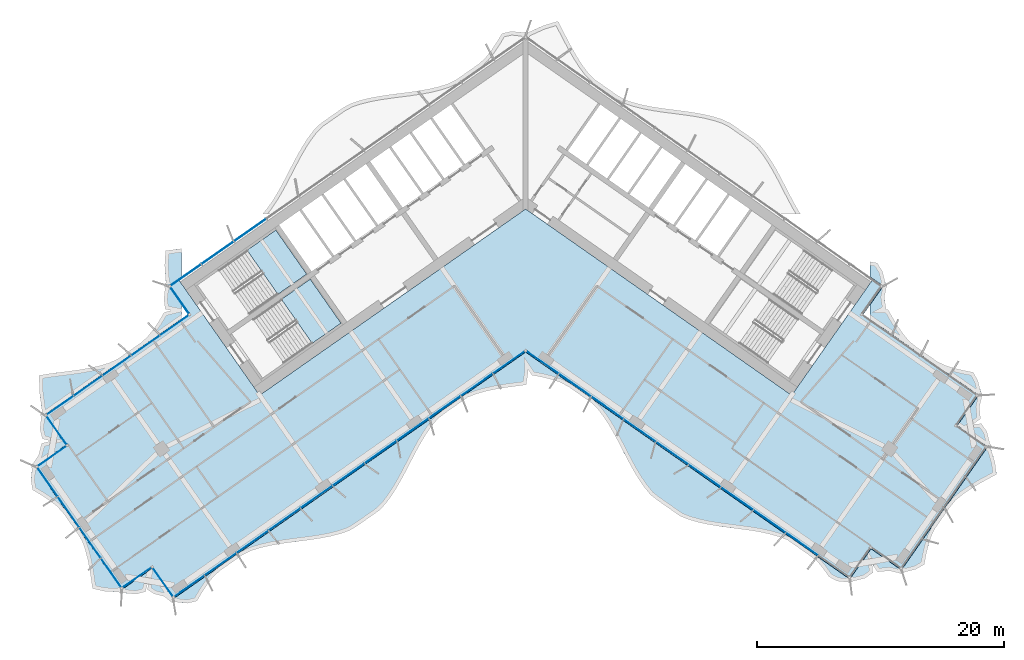
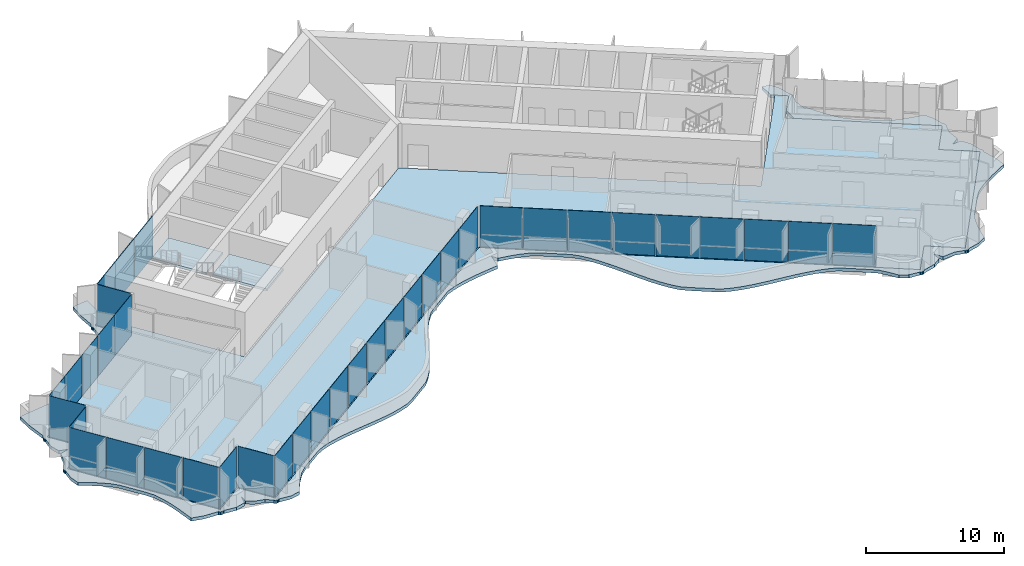
# One storey, part 10 of 21: 37 plates, 4 slabs, 4 elements without a shape of their own.
"""IFC4 building model written with IfcOpenShell, lengths in metres."""

import ifcopenshell
import ifcopenshell.guid

model = None  # the IFC model being written
_history = None  # IfcOwnerHistory: only IFC2X3 demands one
_inside = {}  # id of a spatial element -> (the spatial element, [elements in it])
_under = {}  # id of a project, library or spatial element -> (it, [spatial elements below it])
_declared = {}  # id of a project -> (the project, [libraries it declares])
_typed = {}  # id of a type object -> (the type object, [elements of that type])
_made_of = {}  # id of a material, layer set ... -> (it, [elements and type objects made of it])


def new_model(schema):
    """Start an empty IFC model of exactly this schema.

    Asked for "IFC4X3", IfcOpenShell would pick the latest addendum, in which some entities
    have other attributes; the version numbers below select the first issue.
    IFC2X3 requires an IfcOwnerHistory on every rooted entity: one is made here for all.
    """
    global model, _history
    if schema == "IFC4X3":
        model = ifcopenshell.file(schema_version=(4, 3, 0, 0))
    else:
        model = ifcopenshell.file(schema=schema)
    _inside.clear()
    _under.clear()
    _declared.clear()
    _typed.clear()
    _made_of.clear()
    _history = None
    if model.schema == "IFC2X3":
        org = make("IfcOrganization", Name="unknown")
        user = make(
            "IfcPersonAndOrganization",
            ThePerson=make("IfcPerson", FamilyName="unknown"),
            TheOrganization=org,
        )
        app = make(
            "IfcApplication",
            ApplicationDeveloper=org,
            Version="unknown",
            ApplicationFullName="unknown",
            ApplicationIdentifier="unknown",
        )
        _history = make(
            "IfcOwnerHistory",
            OwningUser=user,
            OwningApplication=app,
            ChangeAction="ADDED",
            CreationDate=0,
        )
    return model


def make(cls, **values):
    """One entity of the class cls with the attributes given. An attribute that is None is left unset."""
    return model.create_entity(
        cls, **{name: value for name, value in values.items() if value is not None}
    )


def rooted(cls, **values):
    """An entity with a GlobalId (a new one), such as an element, a storey or a relation."""
    return make(cls, GlobalId=ifcopenshell.guid.new(), OwnerHistory=_history, **values)


def si_unit(unit_type, name, prefix=None):
    """IfcSIUnit, for example si_unit("LENGTHUNIT", "METRE", prefix="MILLI")."""
    return make("IfcSIUnit", UnitType=unit_type, Prefix=prefix, Name=name)


def assignment(units):
    """IfcUnitAssignment: the units of a project."""
    return None if units is None else make("IfcUnitAssignment", Units=units)


def point(xyz):
    """IfcCartesianPoint."""
    return None if xyz is None else make("IfcCartesianPoint", Coordinates=xyz)


def direction(xyz):
    """IfcDirection."""
    return None if xyz is None else make("IfcDirection", DirectionRatios=xyz)


def frame(location, z_axis=None, x_axis=None):
    """IfcAxis2Placement3D, a coordinate frame: its origin and axes. An axis left out is left unset."""
    return make(
        "IfcAxis2Placement3D",
        Location=point(location),
        Axis=direction(z_axis),
        RefDirection=direction(x_axis),
    )


def frame_2d(location, x_axis=None):
    """IfcAxis2Placement2D, a coordinate frame in the plane: its origin and x axis."""
    return make(
        "IfcAxis2Placement2D", Location=point(location), RefDirection=direction(x_axis)
    )


def origin():
    """The frame at (0, 0, 0) with its axes left unset."""
    return frame((0.0, 0.0, 0.0))


def origin_2d():
    """The frame at (0, 0) in the plane with its x axis left unset."""
    return frame_2d((0.0, 0.0))


def place(relative_to, where):
    """IfcLocalPlacement: puts the frame where relative to a parent placement (None: the world)."""
    return make(
        "IfcLocalPlacement", PlacementRelTo=relative_to, RelativePlacement=where
    )


def context(
    kind, dimensions, precision=None, world=None, true_north=None, identifier=None
):
    """IfcGeometricRepresentationContext, for example the 3D "Model" context."""
    return make(
        "IfcGeometricRepresentationContext",
        ContextIdentifier=identifier,
        ContextType=kind,
        CoordinateSpaceDimension=dimensions,
        Precision=precision,
        WorldCoordinateSystem=world,
        TrueNorth=true_north,
    )


def subcontext(parent, identifier, kind, view, scale=None):
    """IfcGeometricRepresentationSubContext, for example "Body" below "Model"."""
    return make(
        "IfcGeometricRepresentationSubContext",
        ContextIdentifier=identifier,
        ContextType=kind,
        ParentContext=parent,
        TargetScale=scale,
        TargetView=view,
    )


def project(units=None, contexts=None):
    """IfcProject with its units and contexts."""
    return rooted(
        "IfcProject",
        Name="project",
        RepresentationContexts=contexts,
        UnitsInContext=assignment(units),
    )


def spatial(cls, under=None, at=None, **own):
    """A site, building, storey or space (cls), placed at a placement, below another one or the project."""
    s = rooted(cls, ObjectPlacement=at, **own)
    if under is not None:
        _under.setdefault(under.id(), (under, []))[1].append(s)
    return s


def polyline(points):
    """IfcPolyline through the points."""
    return make("IfcPolyline", Points=[point(p) for p in points])


def profile(cls, at=None, kind="AREA", **sizes):
    """A parametric profile (cls). Its sizes go by their IFC names, for example OverallWidth=200.0."""
    return make(cls, ProfileType=kind, Position=at, **sizes)


def rectangle(**sizes):
    """IfcRectangleProfileDef."""
    return profile("IfcRectangleProfileDef", **sizes)


def outline(outer, holes=None, kind="AREA"):
    """IfcArbitraryClosedProfileDef: a profile drawn as a closed curve; with holes, ...WithVoids."""
    if holes is None:
        return make("IfcArbitraryClosedProfileDef", ProfileType=kind, OuterCurve=outer)
    return make(
        "IfcArbitraryProfileDefWithVoids",
        ProfileType=kind,
        OuterCurve=outer,
        InnerCurves=holes,
    )


def extrude(swept, where, along, depth):
    """IfcExtrudedAreaSolid: the profile swept, set in the frame where, extruded along a direction by depth."""
    return make(
        "IfcExtrudedAreaSolid",
        SweptArea=swept,
        Position=where,
        ExtrudedDirection=direction(along),
        Depth=depth,
    )


def shape(context_of_items, identifier, shape_type, items):
    """IfcShapeRepresentation: the items that make up one representation, for example the "Body"."""
    return make(
        "IfcShapeRepresentation",
        ContextOfItems=context_of_items,
        RepresentationIdentifier=identifier,
        RepresentationType=shape_type,
        Items=items,
    )


def material(Name=None, Category=None):
    """IfcMaterial."""
    return make("IfcMaterial", Name=Name, Category=Category)


def layer(
    of_material, thickness, ventilated=None, Name=None, Category=None, Priority=None
):
    """IfcMaterialLayer: one layer of a wall or slab, of a material (None: an air gap)."""
    return make(
        "IfcMaterialLayer",
        Material=of_material,
        LayerThickness=thickness,
        IsVentilated=ventilated,
        Name=Name,
        Category=Category,
        Priority=Priority,
    )


def layer_set(layers, Name=None):
    """IfcMaterialLayerSet."""
    return make("IfcMaterialLayerSet", MaterialLayers=layers, LayerSetName=Name)


def made_of(thing, what):
    """Note that an element or type object is made of a material, layer set ...; save() writes the relation."""
    if what is not None:
        _made_of.setdefault(what.id(), (what, []))[1].append(thing)
    return thing


def type_object(cls, material=None, **own):
    """A type object (cls), such as IfcWallType, which elements share."""
    return made_of(rooted(cls, **own), material)


def element(
    cls,
    number,
    at=None,
    inside=None,
    cuts=None,
    type_object=None,
    material=None,
    context=None,
    identifier="Body",
    shape_type=None,
    held_by="IfcProductDefinitionShape",
    body=None,
    shapes=None,
    **own,
):
    """One element of the class cls, such as IfcWall. Its Tag is "e" and its number.

    at: its placement. inside: the storey or other place that contains it. cuts: it is an
    opening in that element (IfcRelVoidsElement). A single representation is given by context,
    identifier, shape_type and body (its items); several are given by shapes. held_by: the class
    of the entity that holds the representations. save() writes the other relations.
    """
    e = rooted(cls, Tag="e%d" % number, ObjectPlacement=at, **own)
    if body is not None:
        shapes = [shape(context, identifier, shape_type, body)]
    if shapes is not None:
        e.Representation = make(held_by, Representations=shapes)
    if inside is not None:
        _inside.setdefault(inside.id(), (inside, []))[1].append(e)
    if cuts is not None:
        rooted(
            "IfcRelVoidsElement", RelatingBuildingElement=cuts, RelatedOpeningElement=e
        )
    if type_object is not None:
        _typed.setdefault(type_object.id(), (type_object, []))[1].append(e)
    return made_of(e, material)


def aggregate(whole, parts):
    """IfcRelAggregates: a whole, such as a stair, and the parts it consists of."""
    return rooted("IfcRelAggregates", RelatingObject=whole, RelatedObjects=parts)


def save(model, path):
    """Write the relations noted so far, then the file.

    IfcRelAggregates (storeys below a building ...), IfcRelContainedInSpatialStructure (elements
    in a storey), IfcRelDefinesByType, IfcRelAssociatesMaterial and IfcRelDeclares: one each for
    every whole, place, type object, material and project.
    """
    for whole, parts in _under.values():
        aggregate(whole, parts)
    for where, things in _inside.values():
        rooted(
            "IfcRelContainedInSpatialStructure",
            RelatedElements=things,
            RelatingStructure=where,
        )
    for kind, things in _typed.values():
        rooted("IfcRelDefinesByType", RelatedObjects=things, RelatingType=kind)
    for what, things in _made_of.values():
        rooted("IfcRelAssociatesMaterial", RelatedObjects=things, RelatingMaterial=what)
    for by, libraries in _declared.values():
        rooted("IfcRelDeclares", RelatingContext=by, RelatedDefinitions=libraries)
    model.write(path)


model = new_model("IFC4")

# Units and contexts
model_context = context("Model", 3, precision=1e-05, world=origin(), true_north=direction((0.0, 1.0)))
body_context = subcontext(model_context, "Body", "Model", "MODEL_VIEW")
ifc_project = project(units=[si_unit("LENGTHUNIT", "METRE"), si_unit("AREAUNIT", "SQUARE_METRE"), si_unit("VOLUMEUNIT", "CUBIC_METRE"), si_unit("PLANEANGLEUNIT", "RADIAN"), si_unit("MASSUNIT", "GRAM", prefix="KILO")], contexts=[model_context])

# Site, building, storey
site_placement = place(None, origin())
site = spatial("IfcSite", under=ifc_project, at=site_placement, CompositionType="ELEMENT")
building_placement = place(site_placement, origin())
building = spatial("IfcBuilding", under=site, at=building_placement, Name="Tel Ilan Convention Tower", CompositionType="ELEMENT")
storey_placement = place(building_placement, frame((0.0, 0.0, 159.300048828125)))
storey = spatial("IfcBuildingStorey", under=building, at=storey_placement, Name="L36", CompositionType="ELEMENT", Elevation=159.300048828125)

# Curtain wall, plates
ifc_material_1 = material(Name="Aluminium, bronze anodised", Category="aluminium")
curtain_wall_type_1 = type_object("IfcCurtainWallType", Name="CW4 STICK CURTAIN WALL, OFFICE TINTED GLASS", PredefinedType="NOTDEFINED", material=ifc_material_1)
curtain_wall_1_placement = place(storey_placement, origin())
curtain_wall_1 = element("IfcCurtainWall", 1, at=curtain_wall_1_placement, inside=storey, type_object=curtain_wall_type_1, Name="Curtain wall CW4-28.02", PredefinedType="NOTDEFINED")
ifc_material_2 = material(Name="Glass, bronze tinted, two-ply", Category="glass")
ifc_layer_1 = layer(ifc_material_2, 0.028076171875)
ifc_layer_set_1 = layer_set([ifc_layer_1], Name="CW GLASS PANEL 28")
plate_type_1 = type_object("IfcPlateType", Name="CW GLASS PANEL 28", PredefinedType="CURTAIN_PANEL", material=ifc_layer_set_1)
plate_1_placement = place(storey_placement, frame((-28.44677734375, -10.640625, 0.0), z_axis=(0.0, 0.0, 1.0), x_axis=(-0.819152044289, -0.573576436351, 0.0)))
plate_1 = element("IfcPlate", 2, at=plate_1_placement, type_object=plate_type_1, Name="Glass panel", PredefinedType="CURTAIN_PANEL", context=body_context, shape_type="SweptSolid", body=[
    extrude(rectangle(XDim=2.80908203125, YDim=0.028076171875, at=origin_2d()), origin(), (0.0, 0.0, 1.0), 3.6201171875),
])
plate_2_placement = place(storey_placement, frame((-30.784912109375, -12.278076171875, 0.0), z_axis=(0.0, 0.0, 1.0), x_axis=(-0.819152044289, -0.573576436351, 0.0)))
plate_2 = element("IfcPlate", 3, at=plate_2_placement, type_object=plate_type_1, Name="Glass panel", PredefinedType="CURTAIN_PANEL", context=body_context, shape_type="SweptSolid", body=[
    extrude(rectangle(XDim=2.780029296875, YDim=0.028076171875, at=origin_2d()), origin(), (0.0, 0.0, 1.0), 3.6201171875),
])
plate_3_placement = place(storey_placement, frame((-33.111328125, -13.906982421875, 0.0), z_axis=(0.0, 0.0, 1.0), x_axis=(-0.819152044289, -0.573576436351, 0.0)))
plate_3 = element("IfcPlate", 4, at=plate_3_placement, type_object=plate_type_1, Name="Glass panel", PredefinedType="CURTAIN_PANEL", context=body_context, shape_type="SweptSolid", body=[
    extrude(rectangle(XDim=2.780029296875, YDim=0.028076171875, at=origin_2d()), origin(), (0.0, 0.0, 1.0), 3.6201171875),
])
plate_4_placement = place(storey_placement, frame((-35.437744140625, -15.535888671875, 0.0), z_axis=(0.0, 0.0, 1.0), x_axis=(-0.819152044289, -0.573576436351, 0.0)))
plate_4 = element("IfcPlate", 5, at=plate_4_placement, type_object=plate_type_1, Name="Glass panel", PredefinedType="CURTAIN_PANEL", context=body_context, shape_type="SweptSolid", body=[
    extrude(rectangle(XDim=2.780029296875, YDim=0.028076171875, at=origin_2d()), origin(), (0.0, 0.0, 1.0), 3.6201171875),
])
plate_5_placement = place(storey_placement, frame((-37.7255859375, -17.137939453125, 0.0), z_axis=(0.0, 0.0, 1.0), x_axis=(-0.819152044289, -0.573576436351, 0.0)))
plate_5 = element("IfcPlate", 6, at=plate_5_placement, type_object=plate_type_1, Name="Glass panel", PredefinedType="CURTAIN_PANEL", context=body_context, shape_type="SweptSolid", body=[
    extrude(rectangle(XDim=2.68603515625, YDim=0.028076171875, at=origin_2d()), origin(), (0.0, 0.0, 1.0), 3.6201171875),
])
plate_6_placement = place(storey_placement, frame((-38.007080078125, -19.119140625, 0.0), z_axis=(0.0, 0.0, 1.0), x_axis=(0.573576436351, -0.819152044289, 0.0)))
plate_6 = element("IfcPlate", 7, at=plate_6_placement, type_object=plate_type_1, Name="Glass panel", PredefinedType="CURTAIN_PANEL", context=body_context, shape_type="SweptSolid", body=[
    extrude(rectangle(XDim=2.875, YDim=0.028076171875, at=origin_2d()), origin(), (0.0, 0.0, 1.0), 3.6201171875),
])
plate_7_placement = place(storey_placement, frame((-38.385009765625, -21.261962890625, 0.0), z_axis=(0.0, 0.0, 1.0), x_axis=(-0.819152044289, -0.573576436351, 0.0)))
plate_7 = element("IfcPlate", 8, at=plate_7_placement, type_object=plate_type_1, Name="Glass panel", PredefinedType="CURTAIN_PANEL", context=body_context, shape_type="SweptSolid", body=[
    extrude(rectangle(XDim=2.875, YDim=0.028076171875, at=origin_2d()), origin(), (0.0, 0.0, 1.0), 3.6201171875),
])
plate_8_placement = place(storey_placement, frame((-38.73779296875, -23.305908203125, 0.0), z_axis=(0.0, 0.0, 1.0), x_axis=(0.573576436351, -0.819152044289, 0.0)))
plate_8 = element("IfcPlate", 9, at=plate_8_placement, type_object=plate_type_1, Name="Glass panel", PredefinedType="CURTAIN_PANEL", context=body_context, shape_type="SweptSolid", body=[
    extrude(rectangle(XDim=2.89599609375, YDim=0.028076171875, at=origin_2d()), origin(), (0.0, 0.0, 1.0), 3.6201171875),
])
plate_9_placement = place(storey_placement, frame((-37.015380859375, -25.765869140625, 0.0), z_axis=(0.0, 0.0, 1.0), x_axis=(0.573576436351, -0.819152044289, 0.0)))
plate_9 = element("IfcPlate", 10, at=plate_9_placement, type_object=plate_type_1, Name="Glass panel", PredefinedType="CURTAIN_PANEL", context=body_context, shape_type="SweptSolid", body=[
    extrude(rectangle(XDim=2.989990234375, YDim=0.028076171875, at=origin_2d()), origin(), (0.0, 0.0, 1.0), 3.6201171875),
])
plate_10_placement = place(storey_placement, frame((-35.26611328125, -28.264404296875, 0.0), z_axis=(0.0, 0.0, 1.0), x_axis=(0.573576436351, -0.819152044289, 0.0)))
plate_10 = element("IfcPlate", 11, at=plate_10_placement, type_object=plate_type_1, Name="Glass panel", PredefinedType="CURTAIN_PANEL", context=body_context, shape_type="SweptSolid", body=[
    extrude(rectangle(XDim=2.989990234375, YDim=0.028076171875, at=origin_2d()), origin(), (0.0, 0.0, 1.0), 3.6201171875),
])
plate_11_placement = place(storey_placement, frame((-33.543701171875, -30.72412109375, 0.0), z_axis=(0.0, 0.0, 1.0), x_axis=(0.573576436351, -0.819152044289, 0.0)))
plate_11 = element("IfcPlate", 12, at=plate_11_placement, type_object=plate_type_1, Name="Glass panel", PredefinedType="CURTAIN_PANEL", context=body_context, shape_type="SweptSolid", body=[
    extrude(rectangle(XDim=2.89599609375, YDim=0.028076171875, at=origin_2d()), origin(), (0.0, 0.0, 1.0), 3.6201171875),
])
plate_12_placement = place(storey_placement, frame((-31.502197265625, -31.091796875, 0.0), z_axis=(0.0, 0.0, 1.0), x_axis=(0.819152044289, 0.573576436351, 0.0)))
plate_12 = element("IfcPlate", 13, at=plate_12_placement, type_object=plate_type_1, Name="Glass panel", PredefinedType="CURTAIN_PANEL", context=body_context, shape_type="SweptSolid", body=[
    extrude(rectangle(XDim=2.875, YDim=0.028076171875, at=origin_2d()), origin(), (0.0, 0.0, 1.0), 3.6201171875),
])
plate_13_placement = place(storey_placement, frame((-29.359375, -31.469482421875, 0.0), z_axis=(0.0, 0.0, 1.0), x_axis=(0.573576436351, -0.819152044289, 0.0)))
plate_13 = element("IfcPlate", 14, at=plate_13_placement, type_object=plate_type_1, Name="Glass panel", PredefinedType="CURTAIN_PANEL", context=body_context, shape_type="SweptSolid", body=[
    extrude(rectangle(XDim=2.875, YDim=0.028076171875, at=origin_2d()), origin(), (0.0, 0.0, 1.0), 3.6201171875),
])
plate_14_placement = place(storey_placement, frame((-27.26708984375, -31.78857421875, 0.0), z_axis=(0.0, 0.0, 1.0), x_axis=(0.819152044289, 0.573576436351, 0.0)))
plate_14 = element("IfcPlate", 15, at=plate_14_placement, type_object=plate_type_1, Name="Glass panel", PredefinedType="CURTAIN_PANEL", context=body_context, shape_type="SweptSolid", body=[
    extrude(rectangle(XDim=3.013916015625, YDim=0.028076171875, at=origin_2d()), origin(), (0.0, 0.0, 1.0), 3.6201171875),
])
plate_15_placement = place(storey_placement, frame((-24.71044921875, -29.99853515625, 0.0), z_axis=(0.0, 0.0, 1.0), x_axis=(0.819152044289, 0.573576436351, 0.0)))
plate_15 = element("IfcPlate", 16, at=plate_15_placement, type_object=plate_type_1, Name="Glass panel", PredefinedType="CURTAIN_PANEL", context=body_context, shape_type="SweptSolid", body=[
    extrude(rectangle(XDim=3.10791015625, YDim=0.028076171875, at=origin_2d()), origin(), (0.0, 0.0, 1.0), 3.6201171875),
])
plate_16_placement = place(storey_placement, frame((-22.115478515625, -28.181396484375, 0.0), z_axis=(0.0, 0.0, 1.0), x_axis=(0.819152044289, 0.573576436351, 0.0)))
plate_16 = element("IfcPlate", 17, at=plate_16_placement, type_object=plate_type_1, Name="Glass panel", PredefinedType="CURTAIN_PANEL", context=body_context, shape_type="SweptSolid", body=[
    extrude(rectangle(XDim=3.10791015625, YDim=0.028076171875, at=origin_2d()), origin(), (0.0, 0.0, 1.0), 3.6201171875),
])
plate_17_placement = place(storey_placement, frame((-19.520263671875, -26.3642578125, 0.0), z_axis=(0.0, 0.0, 1.0), x_axis=(0.819152044289, 0.573576436351, 0.0)))
plate_17 = element("IfcPlate", 18, at=plate_17_placement, type_object=plate_type_1, Name="Glass panel", PredefinedType="CURTAIN_PANEL", context=body_context, shape_type="SweptSolid", body=[
    extrude(rectangle(XDim=3.10791015625, YDim=0.028076171875, at=origin_2d()), origin(), (0.0, 0.0, 1.0), 3.6201171875),
])
plate_18_placement = place(storey_placement, frame((-16.92529296875, -24.54736328125, 0.0), z_axis=(0.0, 0.0, 1.0), x_axis=(0.819152044289, 0.573576436351, 0.0)))
plate_18 = element("IfcPlate", 19, at=plate_18_placement, type_object=plate_type_1, Name="Glass panel", PredefinedType="CURTAIN_PANEL", context=body_context, shape_type="SweptSolid", body=[
    extrude(rectangle(XDim=3.10791015625, YDim=0.028076171875, at=origin_2d()), origin(), (0.0, 0.0, 1.0), 3.6201171875),
])
plate_19_placement = place(storey_placement, frame((-14.330078125, -22.730224609375, 0.0), z_axis=(0.0, 0.0, 1.0), x_axis=(0.819152044289, 0.573576436351, 0.0)))
plate_19 = element("IfcPlate", 20, at=plate_19_placement, type_object=plate_type_1, Name="Glass panel", PredefinedType="CURTAIN_PANEL", context=body_context, shape_type="SweptSolid", body=[
    extrude(rectangle(XDim=3.10791015625, YDim=0.028076171875, at=origin_2d()), origin(), (0.0, 0.0, 1.0), 3.6201171875),
])
plate_20_placement = place(storey_placement, frame((-11.735107421875, -20.9130859375, 0.0), z_axis=(0.0, 0.0, 1.0), x_axis=(0.819152044289, 0.573576436351, 0.0)))
plate_20 = element("IfcPlate", 21, at=plate_20_placement, type_object=plate_type_1, Name="Glass panel", PredefinedType="CURTAIN_PANEL", context=body_context, shape_type="SweptSolid", body=[
    extrude(rectangle(XDim=3.10791015625, YDim=0.028076171875, at=origin_2d()), origin(), (0.0, 0.0, 1.0), 3.6201171875),
])
plate_21_placement = place(storey_placement, frame((-9.14013671875, -19.095947265625, 0.0), z_axis=(0.0, 0.0, 1.0), x_axis=(0.819152044289, 0.573576436351, 0.0)))
plate_21 = element("IfcPlate", 22, at=plate_21_placement, type_object=plate_type_1, Name="Glass panel", PredefinedType="CURTAIN_PANEL", context=body_context, shape_type="SweptSolid", body=[
    extrude(rectangle(XDim=3.10791015625, YDim=0.028076171875, at=origin_2d()), origin(), (0.0, 0.0, 1.0), 3.6201171875),
])
plate_22_placement = place(storey_placement, frame((-6.544921875, -17.27880859375, 0.0), z_axis=(0.0, 0.0, 1.0), x_axis=(0.819152044289, 0.573576436351, 0.0)))
plate_22 = element("IfcPlate", 23, at=plate_22_placement, type_object=plate_type_1, Name="Glass panel", PredefinedType="CURTAIN_PANEL", context=body_context, shape_type="SweptSolid", body=[
    extrude(rectangle(XDim=3.10791015625, YDim=0.028076171875, at=origin_2d()), origin(), (0.0, 0.0, 1.0), 3.6201171875),
])
plate_23_placement = place(storey_placement, frame((-3.949951171875, -15.4619140625, 0.0), z_axis=(0.0, 0.0, 1.0), x_axis=(0.819152044289, 0.573576436351, 0.0)))
plate_23 = element("IfcPlate", 24, at=plate_23_placement, type_object=plate_type_1, Name="Glass panel", PredefinedType="CURTAIN_PANEL", context=body_context, shape_type="SweptSolid", body=[
    extrude(rectangle(XDim=3.10791015625, YDim=0.028076171875, at=origin_2d()), origin(), (0.0, 0.0, 1.0), 3.6201171875),
])
plate_24_placement = place(storey_placement, frame((-1.355224609375, -13.64501953125, 0.0), z_axis=(0.0, 0.0, 1.0), x_axis=(0.819152044289, 0.573576436351, 0.0)))
plate_24 = element("IfcPlate", 25, at=plate_24_placement, type_object=plate_type_1, Name="Glass panel", PredefinedType="CURTAIN_PANEL", context=body_context, shape_type="SweptSolid", body=[
    extrude(rectangle(XDim=3.10693359375, YDim=0.028076171875, at=origin_2d()), origin(), (0.0, 0.0, 1.0), 3.6201171875),
])
plate_25_placement = place(storey_placement, frame((1.3818359375, -13.66357421875, 0.0), z_axis=(0.0, 0.0, 1.0), x_axis=(0.819152044289, -0.573576436351, 0.0)))
plate_25 = element("IfcPlate", 26, at=plate_25_placement, type_object=plate_type_1, Name="Glass panel", PredefinedType="CURTAIN_PANEL", context=body_context, shape_type="SweptSolid", body=[
    extrude(rectangle(XDim=3.11572265625, YDim=0.028076171875, at=origin_2d()), origin(), (0.0, 0.0, 1.0), 3.6201171875),
])
plate_26_placement = place(storey_placement, frame((3.9951171875, -15.493408203125, 0.0), z_axis=(0.0, 0.0, 1.0), x_axis=(0.819152044289, -0.573576436351, 0.0)))
plate_26 = element("IfcPlate", 27, at=plate_26_placement, type_object=plate_type_1, Name="Glass panel", PredefinedType="CURTAIN_PANEL", context=body_context, shape_type="SweptSolid", body=[
    extrude(rectangle(XDim=3.144775390625, YDim=0.028076171875, at=origin_2d()), origin(), (0.0, 0.0, 1.0), 3.6201171875),
])
plate_27_placement = place(storey_placement, frame((6.620361328125, -17.331787109375, 0.0), z_axis=(0.0, 0.0, 1.0), x_axis=(0.819152044289, -0.573576436351, 0.0)))
plate_27 = element("IfcPlate", 28, at=plate_27_placement, type_object=plate_type_1, Name="Glass panel", PredefinedType="CURTAIN_PANEL", context=body_context, shape_type="SweptSolid", body=[
    extrude(rectangle(XDim=3.144775390625, YDim=0.028076171875, at=origin_2d()), origin(), (0.0, 0.0, 1.0), 3.6201171875),
])
plate_28_placement = place(storey_placement, frame((9.24560546875, -19.169921875, 0.0), z_axis=(0.0, 0.0, 1.0), x_axis=(0.819152044289, -0.573576436351, 0.0)))
plate_28 = element("IfcPlate", 29, at=plate_28_placement, type_object=plate_type_1, Name="Glass panel", PredefinedType="CURTAIN_PANEL", context=body_context, shape_type="SweptSolid", body=[
    extrude(rectangle(XDim=3.144775390625, YDim=0.028076171875, at=origin_2d()), origin(), (0.0, 0.0, 1.0), 3.6201171875),
])
plate_29_placement = place(storey_placement, frame((11.870849609375, -21.008056640625, 0.0), z_axis=(0.0, 0.0, 1.0), x_axis=(0.819152044289, -0.573576436351, 0.0)))
plate_29 = element("IfcPlate", 30, at=plate_29_placement, type_object=plate_type_1, Name="Glass panel", PredefinedType="CURTAIN_PANEL", context=body_context, shape_type="SweptSolid", body=[
    extrude(rectangle(XDim=3.144775390625, YDim=0.028076171875, at=origin_2d()), origin(), (0.0, 0.0, 1.0), 3.6201171875),
])
plate_30_placement = place(storey_placement, frame((14.49609375, -22.84619140625, 0.0), z_axis=(0.0, 0.0, 1.0), x_axis=(0.819152044289, -0.573576436351, 0.0)))
plate_30 = element("IfcPlate", 31, at=plate_30_placement, type_object=plate_type_1, Name="Glass panel", PredefinedType="CURTAIN_PANEL", context=body_context, shape_type="SweptSolid", body=[
    extrude(rectangle(XDim=3.144775390625, YDim=0.028076171875, at=origin_2d()), origin(), (0.0, 0.0, 1.0), 3.6201171875),
])
plate_31_placement = place(storey_placement, frame((17.12109375, -24.684326171875, 0.0), z_axis=(0.0, 0.0, 1.0), x_axis=(0.819152044289, -0.573576436351, 0.0)))
plate_31 = element("IfcPlate", 32, at=plate_31_placement, type_object=plate_type_1, Name="Glass panel", PredefinedType="CURTAIN_PANEL", context=body_context, shape_type="SweptSolid", body=[
    extrude(rectangle(XDim=3.144775390625, YDim=0.028076171875, at=origin_2d()), origin(), (0.0, 0.0, 1.0), 3.6201171875),
])
plate_32_placement = place(storey_placement, frame((19.746337890625, -26.522705078125, 0.0), z_axis=(0.0, 0.0, 1.0), x_axis=(0.819152044289, -0.573576436351, 0.0)))
plate_32 = element("IfcPlate", 33, at=plate_32_placement, type_object=plate_type_1, Name="Glass panel", PredefinedType="CURTAIN_PANEL", context=body_context, shape_type="SweptSolid", body=[
    extrude(rectangle(XDim=3.144775390625, YDim=0.028076171875, at=origin_2d()), origin(), (0.0, 0.0, 1.0), 3.6201171875),
])
plate_33_placement = place(storey_placement, frame((22.37158203125, -28.36083984375, 0.0), z_axis=(0.0, 0.0, 1.0), x_axis=(0.819152044289, -0.573576436351, 0.0)))
plate_33 = element("IfcPlate", 34, at=plate_33_placement, type_object=plate_type_1, Name="Glass panel", PredefinedType="CURTAIN_PANEL", context=body_context, shape_type="SweptSolid", body=[
    extrude(rectangle(XDim=3.144775390625, YDim=0.028076171875, at=origin_2d()), origin(), (0.0, 0.0, 1.0), 3.6201171875),
])
aggregate(curtain_wall_1, [plate_1, plate_2, plate_3, plate_4, plate_5, plate_6, plate_7, plate_8, plate_9, plate_10, plate_11, plate_12, plate_13, plate_14, plate_15, plate_16, plate_17, plate_18, plate_19, plate_20, plate_21, plate_22, plate_23, plate_24, plate_25, plate_26, plate_27, plate_28, plate_29, plate_30, plate_31, plate_32, plate_33])

ifc_material_3 = material(Name="Aluminium, bronze anodised", Category="aluminium")
curtain_wall_type_2 = type_object("IfcCurtainWallType", Name="CW2 STICK CURTAIN WALL, SPANDREL PANELS", PredefinedType="NOTDEFINED", material=ifc_material_3)
curtain_wall_2_placement = place(storey_placement, origin())
curtain_wall_2 = element("IfcCurtainWall", 35, at=curtain_wall_2_placement, inside=storey, type_object=curtain_wall_type_2, Name="Curtain wall CW2-28.01", PredefinedType="NOTDEFINED")
ifc_material_4 = material(Name="Aluminium composite panel, bronze anodised", Category="aluminium")
ifc_layer_2 = layer(ifc_material_4, 0.06005859375)
ifc_layer_set_2 = layer_set([ifc_layer_2], Name="CW SPANDREL PANEL 60")
plate_type_2 = type_object("IfcPlateType", Name="CW SPANDREL PANEL 60", PredefinedType="CURTAIN_PANEL", material=ifc_layer_set_2)
plate_34_placement = place(storey_placement, frame((-22.31982421875, -2.9326171875, 0.0), z_axis=(0.0, 0.0, 1.0), x_axis=(-0.819152044289, -0.573576436351, 0.0)))
plate_34 = element("IfcPlate", 36, at=plate_34_placement, type_object=plate_type_2, Name="Spandrel panel", PredefinedType="CURTAIN_PANEL", context=body_context, shape_type="SweptSolid", body=[
    extrude(rectangle(XDim=3.15380859375, YDim=0.06005859375, at=origin_2d()), origin(), (0.0, 0.0, 1.0), 3.6201171875),
])
plate_35_placement = place(storey_placement, frame((-24.95263671875, -4.77587890625, 0.0), z_axis=(0.0, 0.0, 1.0), x_axis=(-0.819152044289, -0.573576436351, 0.0)))
plate_35 = element("IfcPlate", 37, at=plate_35_placement, type_object=plate_type_2, Name="Spandrel panel", PredefinedType="CURTAIN_PANEL", context=body_context, shape_type="SweptSolid", body=[
    extrude(rectangle(XDim=3.15380859375, YDim=0.06005859375, at=origin_2d()), origin(), (0.0, 0.0, 1.0), 3.6201171875),
])
plate_36_placement = place(storey_placement, frame((-27.5400390625, -6.587646484375, 0.0), z_axis=(0.0, 0.0, 1.0), x_axis=(-0.819152044289, -0.573576436351, 0.0)))
plate_36 = element("IfcPlate", 38, at=plate_36_placement, type_object=plate_type_2, Name="Spandrel panel", PredefinedType="CURTAIN_PANEL", context=body_context, shape_type="SweptSolid", body=[
    extrude(rectangle(XDim=3.0439453125, YDim=0.06005859375, at=origin_2d()), origin(), (0.0, 0.0, 1.0), 3.6201171875),
])
plate_37_placement = place(storey_placement, frame((-28.033935546875, -8.60546875, 0.0), z_axis=(0.0, 0.0, 1.0), x_axis=(0.573576436351, -0.819152044289, 0.0)))
plate_37 = element("IfcPlate", 39, at=plate_37_placement, type_object=plate_type_2, Name="Spandrel panel", PredefinedType="CURTAIN_PANEL", context=body_context, shape_type="SweptSolid", body=[
    extrude(rectangle(XDim=2.658935546875, YDim=0.06005859375, at=origin_2d()), origin(), (0.0, 0.0, 1.0), 3.6201171875),
])
aggregate(curtain_wall_2, [plate_34, plate_35, plate_36, plate_37])

# Stair, slab
ifc_material_5 = material(Name="Concrete C40/50", Category="concrete")
stair_type = type_object("IfcStairType", Name="Pressurised Exit Stair 22 risers 177 mm", PredefinedType="HALF_TURN_STAIR", material=ifc_material_5)
stair_1_placement = place(storey_placement, origin())
stair_1 = element("IfcStair", 40, at=stair_1_placement, inside=storey, type_object=stair_type, Name="L36 Pressurised Stair S1", PredefinedType="HALF_TURN_STAIR")
ifc_material_6 = material(Name="Concrete C40/50", Category="concrete")
ifc_layer_3 = layer(ifc_material_6, 0.199951171875)
ifc_layer_set_3 = layer_set([ifc_layer_3], Name="Concrete Stair Landing 200 mm C40/50")
slab_type_1 = type_object("IfcSlabType", Name="Concrete Stair Landing 200 mm", PredefinedType="LANDING", material=ifc_layer_set_3)
slab_1_placement = place(storey_placement, frame((0.0, 0.0, 1.75)))
slab_1 = element("IfcSlab", 41, at=slab_1_placement, type_object=slab_type_1, Name="S1 landing 1", PredefinedType="LANDING", context=body_context, shape_type="SweptSolid", body=[
    extrude(outline(polyline([(-20.066650390625, -8.130126953125), (-17.7314453125, -6.494873046875), (-20.226318359375, -2.931640625), (-22.561767578125, -4.566650390625), (-20.066650390625, -8.130126953125)])), origin(), (0.0, 0.0, 1.0), 0.199951171875),
])
aggregate(stair_1, [slab_1])

stair_2_placement = place(storey_placement, origin())
stair_2 = element("IfcStair", 42, at=stair_2_placement, inside=storey, type_object=stair_type, Name="L36 Pressurised Stair S2", PredefinedType="HALF_TURN_STAIR")
slab_2_placement = place(storey_placement, frame((0.0, 0.0, 1.75)))
slab_2 = element("IfcSlab", 43, at=slab_2_placement, type_object=slab_type_1, Name="S2 landing 1", PredefinedType="LANDING", context=body_context, shape_type="SweptSolid", body=[
    extrude(outline(polyline([(-17.28466796875, -12.10302734375), (-14.949462890625, -10.4677734375), (-17.444580078125, -6.904541015625), (-19.77978515625, -8.53955078125), (-17.28466796875, -12.10302734375)])), origin(), (0.0, 0.0, 1.0), 0.199951171875),
])
aggregate(stair_2, [slab_2])

# Slabs
ifc_material_7 = material(Name="Concrete C40/50", Category="concrete")
ifc_layer_4 = layer(ifc_material_7, 0.280029296875)
ifc_layer_set_4 = layer_set([ifc_layer_4], Name="Edge Ledge Slab 280 mm C40/50")
slab_type_2 = type_object("IfcSlabType", Name="Edge Ledge Slab 280 mm C40/50", PredefinedType="FLOOR", material=ifc_layer_set_4)
slab_3_placement = place(storey_placement, frame((0.0, 0.0, -0.280029296875)))
element("IfcSlab", 44, at=slab_3_placement, inside=storey, type_object=slab_type_2, Name="L36 edge ledge 1", PredefinedType="FLOOR", context=body_context, shape_type="SweptSolid", body=[
    extrude(outline(polyline([(-31.562744140625, -32.420166015625), (-32.5517578125, -32.31494140625), (-32.554931640625, -32.310302734375), (-32.60888671875, -32.346435546875), (-32.723876953125, -32.369384765625), (-32.838623046875, -32.346435546875), (-32.93603515625, -32.281494140625), (-32.96484375, -32.238037109375), (-32.969482421875, -32.241455078125), (-34.1298828125, -32.177734375), (-35.07666015625, -31.964599609375), (-35.189697265625, -31.16748046875), (-35.312744140625, -30.377685546875), (-35.46484375, -29.608154296875), (-35.656982421875, -28.86669921875), (-35.8984375, -28.15966796875), (-36.2626953125, -27.53857421875), (-37.49755859375, -25.77490234375), (-38.006591796875, -25.25537109375), (-38.60546875, -24.798583984375), (-39.250732421875, -24.374267578125), (-39.92822265625, -23.97265625), (-40.0625, -23.190673828125), (-39.96728515625, -22.247802734375), (-39.962646484375, -22.244384765625), (-39.99853515625, -22.1904296875), (-40.021484375, -22.07568359375), (-39.99853515625, -21.960693359375), (-39.93359375, -21.863525390625), (-39.890380859375, -21.834716796875), (-39.8935546875, -21.829833984375), (-39.44873046875, -21.157470703125), (-39.19921875, -20.20654296875), (-38.452392578125, -20.01123046875), (-39.13330078125, -19.83251953125), (-39.33544921875, -19.05859375), (-39.23046875, -18.069580078125), (-39.225830078125, -18.06640625), (-39.261962890625, -18.01220703125), (-39.284912109375, -17.8974609375), (-39.261962890625, -17.78271484375), (-39.197021484375, -17.685302734375), (-39.153564453125, -17.656494140625), (-39.15673828125, -17.651611328125), (-39.369873046875, -16.044677734375), (-39.404052734375, -14.692626953125), (-38.58203125, -14.563720703125), (-37.746826171875, -14.453369140625), (-36.90869140625, -14.34716796875), (-36.078125, -14.23046875), (-35.2646484375, -14.089111328125), (-34.477783203125, -13.91015625), (-33.72509765625, -13.68212890625), (-33.03466796875, -13.364990234375), (-31.197998046875, -12.0791015625), (-30.631591796875, -11.585205078125), (-30.14892578125, -10.971435546875), (-29.70263671875, -10.305908203125), (-29.284912109375, -9.59912109375), (-28.654296875, -9.439208984375), (-29.194091796875, -9.332763671875), (-29.29443359375, -8.548583984375), (-29.20458984375, -7.631103515625), (-29.199951171875, -7.6279296875), (-29.236083984375, -7.57373046875), (-29.2587890625, -7.458984375), (-29.236083984375, -7.34423828125), (-29.1708984375, -7.246826171875), (-29.127685546875, -7.218017578125), (-29.130859375, -7.21337890625), (-29.231689453125, -5.78515625), (-29.161865234375, -4.60107421875), (-28.33935546875, -4.49169921875), (-27.875, -4.4326171875), (-27.875, -6.7001953125), (-28.958740234375, -7.458984375), (-27.875, -9.007080078125), (-27.875, -10.1181640625), (-27.882568359375, -10.12353515625), (-38.74365234375, -17.728515625), (-38.98486328125, -17.8974609375), (-37.263916015625, -20.35498046875), (-38.2880859375, -21.072021484375), (-39.48046875, -21.90673828125), (-39.721435546875, -22.07568359375), (-32.723876953125, -32.0693359375), (-30.266357421875, -30.3486328125), (-29.57861328125, -31.3310546875), (-29.53759765625, -31.38916015625), (-28.714599609375, -32.56494140625), (-28.545654296875, -32.805908203125), (0.0, -12.818115234375), (26.251953125, -31.199951171875), (27.972900390625, -28.74267578125), (30.43017578125, -30.46337890625), (37.427978515625, -20.469482421875), (37.186767578125, -20.30078125), (36.19921875, -19.609375), (34.970458984375, -18.748779296875), (36.691162109375, -16.29150390625), (36.449951171875, -16.12255859375), (31.117919921875, -12.38916015625), (27.875, -10.1181640625), (27.875, -9.007080078125), (28.958740234375, -7.458984375), (27.875, -6.7001953125), (27.875, -5.485595703125), (28.465576171875, -5.595458984375), (28.894287109375, -6.267333984375), (29.130859375, -7.21337890625), (29.127685546875, -7.218017578125), (29.1708984375, -7.246826171875), (29.236083984375, -7.34423828125), (29.2587890625, -7.458984375), (29.236083984375, -7.57373046875), (29.199951171875, -7.6279296875), (29.20458984375, -7.631103515625), (29.044921875, -8.373779296875), (29.194091796875, -9.332763671875), (29.132080078125, -9.36474609375), (29.356201171875, -9.3759765625), (29.74560546875, -10.06201171875), (30.151123046875, -10.72509765625), (30.5849609375, -11.347900390625), (31.052978515625, -11.92138671875), (31.6103515625, -12.36767578125), (33.361328125, -13.59375), (34.017333984375, -13.899169921875), (34.732421875, -14.1201171875), (35.47900390625, -14.2958984375), (36.246826171875, -14.44140625), (36.63134765625, -15.134521484375), (36.86328125, -16.045654296875), (36.85986328125, -16.05029296875), (36.9033203125, -16.079345703125), (36.96826171875, -16.176513671875), (36.9912109375, -16.29150390625), (36.96826171875, -16.40625), (36.93212890625, -16.460205078125), (36.93701171875, -16.46337890625), (36.748779296875, -17.24755859375), (36.839599609375, -18.2265625), (36.20458984375, -18.665283203125), (36.905517578125, -18.6005859375), (37.3603515625, -19.258544921875), (37.599853515625, -20.223876953125), (37.5966796875, -20.228515625), (37.639892578125, -20.257568359375), (37.705078125, -20.354736328125), (37.727783203125, -20.469482421875), (37.705078125, -20.58447265625), (37.6689453125, -20.638427734375), (37.673583984375, -20.6416015625), (38.010498046875, -21.753662109375), (38.13427734375, -22.71630859375), (37.423828125, -23.09521484375), (36.7236328125, -23.48095703125), (36.052734375, -23.88720703125), (35.421630859375, -24.3212890625), (34.83984375, -24.7900390625), (34.380615234375, -25.344482421875), (33.145751953125, -27.108154296875), (32.83154296875, -27.764404296875), (32.607177734375, -28.4833984375), (32.42919921875, -29.234619140625), (32.28369140625, -30.0087890625), (31.594482421875, -30.402587890625), (30.676025390625, -30.635498046875), (30.67138671875, -30.632080078125), (30.642333984375, -30.67529296875), (30.544921875, -30.740478515625), (30.43017578125, -30.76318359375), (30.3154296875, -30.740478515625), (30.261474609375, -30.704345703125), (30.25830078125, -30.708984375), (29.47412109375, -30.52099609375), (28.4951171875, -30.61181640625), (28.056396484375, -29.976806640625), (28.12109375, -30.677490234375), (27.463134765625, -31.132568359375), (26.497802734375, -31.3720703125), (26.4931640625, -31.368896484375), (26.464111328125, -31.412109375), (26.36669921875, -31.477294921875), (26.251953125, -31.5), (26.13720703125, -31.477294921875), (26.083251953125, -31.441162109375), (26.080078125, -31.44580078125), (25.2314453125, -31.358154296875), (24.565673828125, -31.009765625), (24.111328125, -30.35888671875), (23.619384765625, -29.76220703125), (23.02734375, -29.308349609375), (21.19580078125, -28.02587890625), (20.475830078125, -27.7548828125), (19.716064453125, -27.540283203125), (18.924072265625, -27.372314453125), (18.10791015625, -27.23828125), (17.27685546875, -27.1259765625), (16.44091796875, -27.0205078125), (15.610107421875, -26.9072265625), (14.794677734375, -26.7724609375), (14.003662109375, -26.602783203125), (13.245361328125, -26.386474609375), (12.530029296875, -26.108642578125), (10.698486328125, -24.826171875), (10.110107421875, -24.3671875), (9.61962890625, -23.768310546875), (9.166748046875, -23.115478515625), (8.744384765625, -22.41943359375), (8.343994140625, -21.69189453125), (7.956298828125, -20.9462890625), (7.57080078125, -20.197509765625), (7.177490234375, -19.45947265625), (6.76708984375, -18.74658203125), (6.329833984375, -18.071533203125), (5.8583984375, -17.445556640625), (5.322509765625, -16.9111328125), (3.490966796875, -15.62890625), (2.833251953125, -15.268798828125), (2.093017578125, -15.0263671875), (1.31689453125, -14.835693359375), (0.51220703125, -14.685546875), (0.201416015625, -14.22314453125), (0.2060546875, -14.40478515625), (0.04248046875, -15.464111328125), (-0.788818359375, -15.569580078125), (-1.615234375, -15.681884765625), (-2.427001953125, -15.815185546875), (-3.214599609375, -15.983154296875), (-3.97021484375, -16.19677734375), (-4.686767578125, -16.466064453125), (-6.5087890625, -17.741943359375), (-7.10009765625, -18.190185546875), (-7.59033203125, -18.782470703125), (-8.043212890625, -19.428466796875), (-8.46533203125, -20.118408203125), (-8.864990234375, -20.840087890625), (-9.25146484375, -21.580810546875), (-9.634765625, -22.326416015625), (-10.024658203125, -23.06201171875), (-10.43115234375, -23.7744140625), (-10.86279296875, -24.4501953125), (-11.327880859375, -25.078857421875), (-11.846923828125, -25.63037109375), (-13.6689453125, -26.906005859375), (-14.308837890625, -27.284912109375), (-15.039794921875, -27.53369140625), (-15.80712890625, -27.73046875), (-16.60400390625, -27.885009765625), (-17.421875, -28.009765625), (-18.251220703125, -28.117919921875), (-19.08251953125, -28.2236328125), (-19.905029296875, -28.34130859375), (-20.7099609375, -28.484619140625), (-21.48779296875, -28.666259765625), (-22.2314453125, -28.897216796875), (-22.907470703125, -29.224365234375), (-24.7294921875, -30.5), (-25.286865234375, -30.996826171875), (-25.76416015625, -31.607666015625), (-26.2060546875, -32.269287109375), (-26.6201171875, -32.970703125), (-27.396484375, -33.154296875), (-28.37353515625, -33.0517578125), (-28.376953125, -33.047119140625), (-28.430908203125, -33.083251953125), (-28.545654296875, -33.10595703125), (-28.660400390625, -33.083251953125), (-28.7578125, -33.018310546875), (-28.78662109375, -32.974853515625), (-28.79150390625, -32.97802734375), (-29.2880859375, -32.593505859375), (-30.059814453125, -32.4013671875), (-30.615234375, -32.057861328125), (-30.573974609375, -31.399658203125), (-30.788818359375, -32.2177734375), (-31.562744140625, -32.420166015625)])), origin(), (0.0, 0.0, 1.0), 0.280029296875),
])
ifc_material_8 = material(Name="Concrete C40/50", Category="concrete")
ifc_layer_5 = layer(ifc_material_8, 0.280029296875)
ifc_layer_set_5 = layer_set([ifc_layer_5], Name="Flat Plate Floor Slab 280 mm C40/50")
slab_type_3 = type_object("IfcSlabType", Name="Flat Plate Floor Slab 280 mm C40/50", PredefinedType="FLOOR", material=ifc_layer_set_5)
slab_4_placement = place(storey_placement, frame((0.0, 0.0, -0.280029296875)))
element("IfcSlab", 45, at=slab_4_placement, inside=storey, type_object=slab_type_3, Name="L36 floor slab", PredefinedType="FLOOR", context=body_context, shape_type="SweptSolid", body=[
    extrude(outline(polyline([(37.186767578125, -20.30078125), (37.427978515625, -20.469482421875), (30.43017578125, -30.46337890625), (27.972900390625, -28.74267578125), (26.251953125, -31.199951171875), (0.0, -12.818115234375), (-28.545654296875, -32.805908203125), (-28.714599609375, -32.56494140625), (-29.57861328125, -31.3310546875), (-30.266357421875, -30.3486328125), (-32.723876953125, -32.0693359375), (-39.721435546875, -22.07568359375), (-39.48046875, -21.90673828125), (-38.448486328125, -21.18408203125), (-38.2880859375, -21.072021484375), (-37.263916015625, -20.35498046875), (-38.98486328125, -17.8974609375), (-38.74365234375, -17.728515625), (-27.598388671875, -9.9248046875), (-27.352783203125, -9.752685546875), (-28.958740234375, -7.458984375), (-28.1396484375, -6.885498046875), (-21.54345703125, -16.3056640625), (0.0, -1.220703125), (21.54345703125, -16.3056640625), (28.1396484375, -6.885498046875), (28.958740234375, -7.458984375), (27.352783203125, -9.752685546875), (27.627197265625, -9.944580078125), (36.449951171875, -16.12255859375), (36.691162109375, -16.29150390625), (34.970458984375, -18.748779296875), (36.19921875, -19.609375), (36.3935546875, -19.745361328125), (37.186767578125, -20.30078125)])), origin(), (0.0, 0.0, 1.0), 0.280029296875),
])

save(model, "model.ifc")
